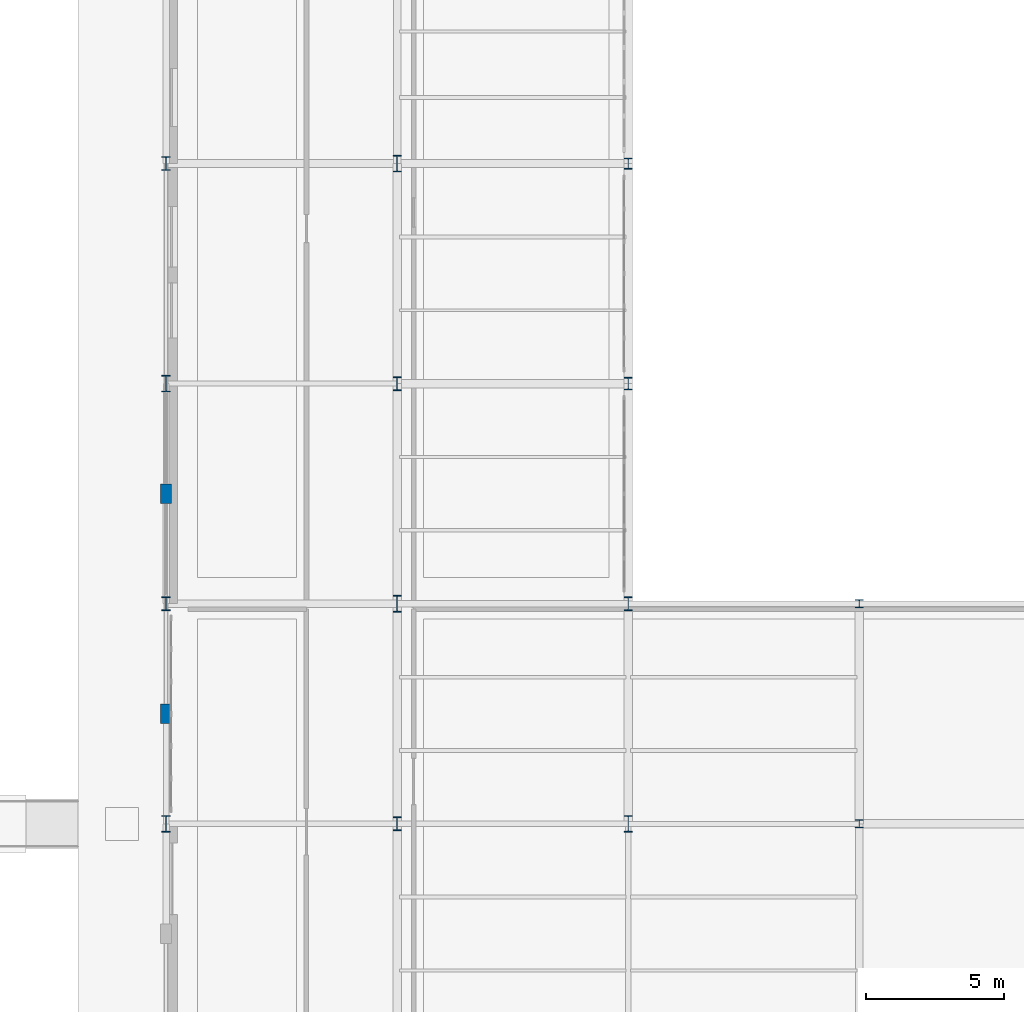
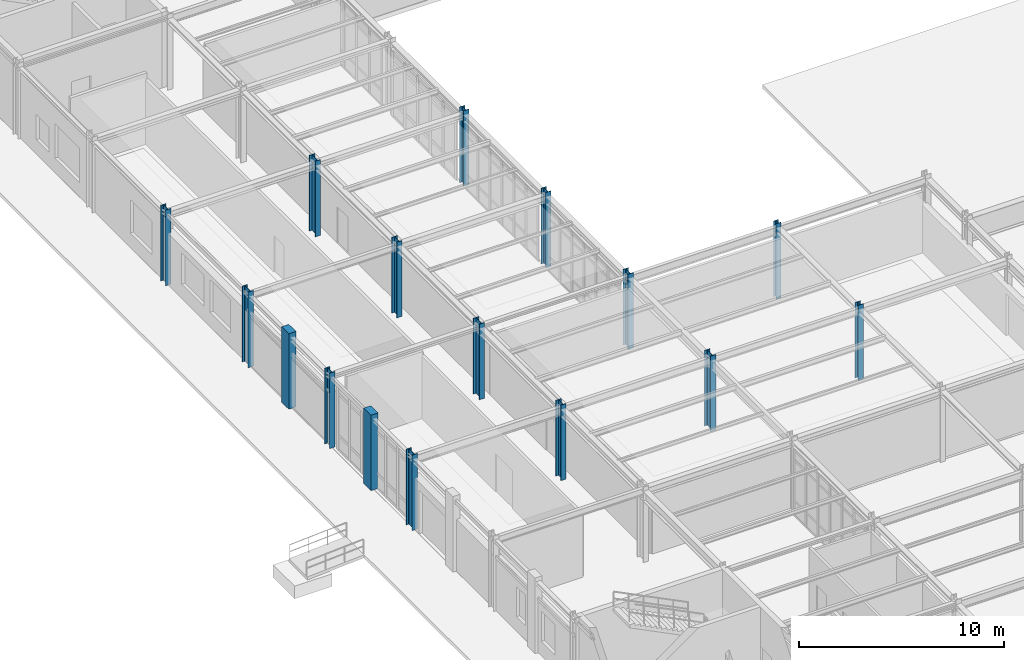
# One storey, part 11 of 101: 16 columns.
"""IFC4 building model written with IfcOpenShell, lengths in metres."""

import ifcopenshell
import ifcopenshell.guid

model = None  # the IFC model being written
_history = None  # IfcOwnerHistory: only IFC2X3 demands one
_inside = {}  # id of a spatial element -> (the spatial element, [elements in it])
_under = {}  # id of a project, library or spatial element -> (it, [spatial elements below it])
_declared = {}  # id of a project -> (the project, [libraries it declares])
_typed = {}  # id of a type object -> (the type object, [elements of that type])
_made_of = {}  # id of a material, layer set ... -> (it, [elements and type objects made of it])


def new_model(schema):
    """Start an empty IFC model of exactly this schema.

    Asked for "IFC4X3", IfcOpenShell would pick the latest addendum, in which some entities
    have other attributes; the version numbers below select the first issue.
    IFC2X3 requires an IfcOwnerHistory on every rooted entity: one is made here for all.
    """
    global model, _history
    if schema == "IFC4X3":
        model = ifcopenshell.file(schema_version=(4, 3, 0, 0))
    else:
        model = ifcopenshell.file(schema=schema)
    _inside.clear()
    _under.clear()
    _declared.clear()
    _typed.clear()
    _made_of.clear()
    _history = None
    if model.schema == "IFC2X3":
        org = make("IfcOrganization", Name="unknown")
        user = make(
            "IfcPersonAndOrganization",
            ThePerson=make("IfcPerson", FamilyName="unknown"),
            TheOrganization=org,
        )
        app = make(
            "IfcApplication",
            ApplicationDeveloper=org,
            Version="unknown",
            ApplicationFullName="unknown",
            ApplicationIdentifier="unknown",
        )
        _history = make(
            "IfcOwnerHistory",
            OwningUser=user,
            OwningApplication=app,
            ChangeAction="ADDED",
            CreationDate=0,
        )
    return model


def make(cls, **values):
    """One entity of the class cls with the attributes given. An attribute that is None is left unset."""
    return model.create_entity(
        cls, **{name: value for name, value in values.items() if value is not None}
    )


def rooted(cls, **values):
    """An entity with a GlobalId (a new one), such as an element, a storey or a relation."""
    return make(cls, GlobalId=ifcopenshell.guid.new(), OwnerHistory=_history, **values)


def si_unit(unit_type, name, prefix=None):
    """IfcSIUnit, for example si_unit("LENGTHUNIT", "METRE", prefix="MILLI")."""
    return make("IfcSIUnit", UnitType=unit_type, Prefix=prefix, Name=name)


def derived_unit(unit_type, elements):
    """IfcDerivedUnit: a product of units, each with its exponent."""
    return make(
        "IfcDerivedUnit",
        Elements=[
            make("IfcDerivedUnitElement", Unit=unit, Exponent=power)
            for unit, power in elements
        ],
        UnitType=unit_type,
    )


def assignment(units):
    """IfcUnitAssignment: the units of a project."""
    return None if units is None else make("IfcUnitAssignment", Units=units)


def point(xyz):
    """IfcCartesianPoint."""
    return None if xyz is None else make("IfcCartesianPoint", Coordinates=xyz)


def direction(xyz):
    """IfcDirection."""
    return None if xyz is None else make("IfcDirection", DirectionRatios=xyz)


def frame(location, z_axis=None, x_axis=None):
    """IfcAxis2Placement3D, a coordinate frame: its origin and axes. An axis left out is left unset."""
    return make(
        "IfcAxis2Placement3D",
        Location=point(location),
        Axis=direction(z_axis),
        RefDirection=direction(x_axis),
    )


def frame_2d(location, x_axis=None):
    """IfcAxis2Placement2D, a coordinate frame in the plane: its origin and x axis."""
    return make(
        "IfcAxis2Placement2D", Location=point(location), RefDirection=direction(x_axis)
    )


def origin():
    """The frame at (0, 0, 0) with its axes left unset."""
    return frame((0.0, 0.0, 0.0))


def origin_2d():
    """The frame at (0, 0) in the plane with its x axis left unset."""
    return frame_2d((0.0, 0.0))


def place(relative_to, where):
    """IfcLocalPlacement: puts the frame where relative to a parent placement (None: the world)."""
    return make(
        "IfcLocalPlacement", PlacementRelTo=relative_to, RelativePlacement=where
    )


def context(
    kind, dimensions, precision=None, world=None, true_north=None, identifier=None
):
    """IfcGeometricRepresentationContext, for example the 3D "Model" context."""
    return make(
        "IfcGeometricRepresentationContext",
        ContextIdentifier=identifier,
        ContextType=kind,
        CoordinateSpaceDimension=dimensions,
        Precision=precision,
        WorldCoordinateSystem=world,
        TrueNorth=true_north,
    )


def subcontext(parent, identifier, kind, view, scale=None):
    """IfcGeometricRepresentationSubContext, for example "Body" below "Model"."""
    return make(
        "IfcGeometricRepresentationSubContext",
        ContextIdentifier=identifier,
        ContextType=kind,
        ParentContext=parent,
        TargetScale=scale,
        TargetView=view,
    )


def project(units=None, contexts=None):
    """IfcProject with its units and contexts."""
    return rooted(
        "IfcProject",
        Name="project",
        RepresentationContexts=contexts,
        UnitsInContext=assignment(units),
    )


def spatial(cls, under=None, at=None, **own):
    """A site, building, storey or space (cls), placed at a placement, below another one or the project."""
    s = rooted(cls, ObjectPlacement=at, **own)
    if under is not None:
        _under.setdefault(under.id(), (under, []))[1].append(s)
    return s


def profile(cls, at=None, kind="AREA", **sizes):
    """A parametric profile (cls). Its sizes go by their IFC names, for example OverallWidth=200.0."""
    return make(cls, ProfileType=kind, Position=at, **sizes)


def rectangle(**sizes):
    """IfcRectangleProfileDef."""
    return profile("IfcRectangleProfileDef", **sizes)


def i_section(**sizes):
    """IfcIShapeProfileDef."""
    return profile("IfcIShapeProfileDef", **sizes)


def extrude(swept, where, along, depth):
    """IfcExtrudedAreaSolid: the profile swept, set in the frame where, extruded along a direction by depth."""
    return make(
        "IfcExtrudedAreaSolid",
        SweptArea=swept,
        Position=where,
        ExtrudedDirection=direction(along),
        Depth=depth,
    )


def shape(context_of_items, identifier, shape_type, items):
    """IfcShapeRepresentation: the items that make up one representation, for example the "Body"."""
    return make(
        "IfcShapeRepresentation",
        ContextOfItems=context_of_items,
        RepresentationIdentifier=identifier,
        RepresentationType=shape_type,
        Items=items,
    )


def material(Name=None, Category=None):
    """IfcMaterial."""
    return make("IfcMaterial", Name=Name, Category=Category)


def material_profile(
    of_material, cross_section, Name=None, Category=None, Priority=None
):
    """IfcMaterialProfile: a cross section and its material."""
    return make(
        "IfcMaterialProfile",
        Name=Name,
        Material=of_material,
        Profile=cross_section,
        Priority=Priority,
        Category=Category,
    )


def profile_set(profiles, Name=None, composite=None):
    """IfcMaterialProfileSet."""
    return make(
        "IfcMaterialProfileSet",
        Name=Name,
        MaterialProfiles=profiles,
        CompositeProfile=composite,
    )


def made_of(thing, what):
    """Note that an element or type object is made of a material, layer set ...; save() writes the relation."""
    if what is not None:
        _made_of.setdefault(what.id(), (what, []))[1].append(thing)
    return thing


def type_object(cls, material=None, **own):
    """A type object (cls), such as IfcWallType, which elements share."""
    return made_of(rooted(cls, **own), material)


def element(
    cls,
    number,
    at=None,
    inside=None,
    cuts=None,
    type_object=None,
    material=None,
    context=None,
    identifier="Body",
    shape_type=None,
    held_by="IfcProductDefinitionShape",
    body=None,
    shapes=None,
    **own,
):
    """One element of the class cls, such as IfcWall. Its Tag is "e" and its number.

    at: its placement. inside: the storey or other place that contains it. cuts: it is an
    opening in that element (IfcRelVoidsElement). A single representation is given by context,
    identifier, shape_type and body (its items); several are given by shapes. held_by: the class
    of the entity that holds the representations. save() writes the other relations.
    """
    e = rooted(cls, Tag="e%d" % number, ObjectPlacement=at, **own)
    if body is not None:
        shapes = [shape(context, identifier, shape_type, body)]
    if shapes is not None:
        e.Representation = make(held_by, Representations=shapes)
    if inside is not None:
        _inside.setdefault(inside.id(), (inside, []))[1].append(e)
    if cuts is not None:
        rooted(
            "IfcRelVoidsElement", RelatingBuildingElement=cuts, RelatedOpeningElement=e
        )
    if type_object is not None:
        _typed.setdefault(type_object.id(), (type_object, []))[1].append(e)
    return made_of(e, material)


def aggregate(whole, parts):
    """IfcRelAggregates: a whole, such as a stair, and the parts it consists of."""
    return rooted("IfcRelAggregates", RelatingObject=whole, RelatedObjects=parts)


def save(model, path):
    """Write the relations noted so far, then the file.

    IfcRelAggregates (storeys below a building ...), IfcRelContainedInSpatialStructure (elements
    in a storey), IfcRelDefinesByType, IfcRelAssociatesMaterial and IfcRelDeclares: one each for
    every whole, place, type object, material and project.
    """
    for whole, parts in _under.values():
        aggregate(whole, parts)
    for where, things in _inside.values():
        rooted(
            "IfcRelContainedInSpatialStructure",
            RelatedElements=things,
            RelatingStructure=where,
        )
    for kind, things in _typed.values():
        rooted("IfcRelDefinesByType", RelatedObjects=things, RelatingType=kind)
    for what, things in _made_of.values():
        rooted("IfcRelAssociatesMaterial", RelatedObjects=things, RelatingMaterial=what)
    for by, libraries in _declared.values():
        rooted("IfcRelDeclares", RelatingContext=by, RelatedDefinitions=libraries)
    model.write(path)


model = new_model("IFC4")

# Units and contexts
model_context = context("Model", 3, precision=1e-05, world=origin(), true_north=direction((0.0, 1.0)))
body_context = subcontext(model_context, "Body", "Model", "MODEL_VIEW")
ifc_project = project(units=[si_unit("LENGTHUNIT", "METRE"), si_unit("AREAUNIT", "SQUARE_METRE"), si_unit("VOLUMEUNIT", "CUBIC_METRE"), si_unit("PLANEANGLEUNIT", "RADIAN"), si_unit("MASSUNIT", "GRAM", prefix="KILO"), derived_unit("THERMALTRANSMITTANCEUNIT", [(si_unit("POWERUNIT", "WATT"), 1), (si_unit("AREAUNIT", "SQUARE_METRE"), -1), (si_unit("THERMODYNAMICTEMPERATUREUNIT", "KELVIN"), -1)])], contexts=[model_context])

# Site, building, storey
site_placement = place(None, origin())
site = spatial("IfcSite", under=ifc_project, at=site_placement, CompositionType="ELEMENT")
building_placement = place(site_placement, origin())
building = spatial("IfcBuilding", under=site, at=building_placement, Name="Yasenodar Specialist Clinic", CompositionType="ELEMENT")
storey_placement = place(building_placement, origin())
storey = spatial("IfcBuildingStorey", under=building, at=storey_placement, Name="L00", CompositionType="ELEMENT", Elevation=0.0)

# Columns
ifc_material_1 = material(Name="Steel S355", Category="steel")
ifc_material_profile_1 = material_profile(ifc_material_1, i_section(OverallWidth=0.280029296875, OverallDepth=0.280029296875, WebThickness=0.010498046875, FlangeThickness=0.01806640625, FilletRadius=0.02392578125, at=origin_2d()), Name="HEB 280")
ifc_profile_set_1 = profile_set([ifc_material_profile_1], Name="Steel S355")
column_type_1 = type_object("IfcColumnType", Name="COL-ST-HEB280", PredefinedType="COLUMN", material=ifc_profile_set_1)
column_1_placement = place(storey_placement, frame((25.199951171875, 66.800048828125, 0.0), z_axis=(0.0, 0.0, 1.0), x_axis=(1.0, 0.0, 0.0)))
element("IfcColumn", 1, at=column_1_placement, inside=storey, type_object=column_type_1, Name="L00 Column V4-054", PredefinedType="COLUMN", context=body_context, shape_type="SweptSolid", body=[
    extrude(i_section(OverallWidth=0.280029296875, OverallDepth=0.280029296875, WebThickness=0.010498046875, FlangeThickness=0.01806640625, FilletRadius=0.02392578125, at=origin_2d()), origin(), (0.0, 0.0, 1.0), 4.5),
])
ifc_material_profile_2 = material_profile(ifc_material_1, i_section(OverallWidth=0.300048828125, OverallDepth=0.300048828125, WebThickness=0.010986328125, FlangeThickness=0.01904296875, FilletRadius=0.027099609375, at=origin_2d()), Name="HEB 300")
ifc_profile_set_2 = profile_set([ifc_material_profile_2], Name="Steel S355")
column_type_2 = type_object("IfcColumnType", Name="COL-ST-HEB300", PredefinedType="COLUMN", material=ifc_profile_set_2)
column_2_placement = place(storey_placement, frame((25.199951171875, 58.800048828125, 0.0), z_axis=(0.0, 0.0, 1.0), x_axis=(1.0, 0.0, 0.0)))
element("IfcColumn", 2, at=column_2_placement, inside=storey, type_object=column_type_2, Name="L00 Column V4-053", PredefinedType="COLUMN", context=body_context, shape_type="SweptSolid", body=[
    extrude(i_section(OverallWidth=0.300048828125, OverallDepth=0.300048828125, WebThickness=0.010986328125, FlangeThickness=0.01904296875, FilletRadius=0.027099609375, at=origin_2d()), origin(), (0.0, 0.0, 1.0), 4.5),
])
ifc_material_profile_3 = material_profile(ifc_material_1, i_section(OverallWidth=0.300048828125, OverallDepth=0.39990234375, WebThickness=0.013427734375, FlangeThickness=0.02392578125, FilletRadius=0.027099609375, at=origin_2d()), Name="HEB 400")
ifc_profile_set_3 = profile_set([ifc_material_profile_3], Name="Steel S355")
column_type_3 = type_object("IfcColumnType", Name="COL-ST-HEB400", PredefinedType="COLUMN", material=ifc_profile_set_3)
column_3_placement = place(storey_placement, frame((16.800048828125, 82.800048828125, 0.0), z_axis=(0.0, 0.0, 1.0), x_axis=(1.0, 0.0, 0.0)))
element("IfcColumn", 3, at=column_3_placement, inside=storey, type_object=column_type_3, Name="L00 Column V4-041", PredefinedType="COLUMN", context=body_context, shape_type="SweptSolid", body=[
    extrude(i_section(OverallWidth=0.300048828125, OverallDepth=0.39990234375, WebThickness=0.013427734375, FlangeThickness=0.02392578125, FilletRadius=0.027099609375, at=origin_2d()), origin(), (0.0, 0.0, 1.0), 4.5),
])
ifc_material_profile_4 = material_profile(ifc_material_1, i_section(OverallWidth=0.300048828125, OverallDepth=0.449951171875, WebThickness=0.013916015625, FlangeThickness=0.02587890625, FilletRadius=0.027099609375, at=origin_2d()), Name="HEB 450")
ifc_profile_set_4 = profile_set([ifc_material_profile_4], Name="Steel S355")
column_type_4 = type_object("IfcColumnType", Name="COL-ST-HEB450", PredefinedType="COLUMN", material=ifc_profile_set_4)
column_4_placement = place(storey_placement, frame((16.800048828125, 74.800048828125, 0.0), z_axis=(0.0, 0.0, 1.0), x_axis=(1.0, 0.0, 0.0)))
element("IfcColumn", 4, at=column_4_placement, inside=storey, type_object=column_type_4, Name="L00 Column V4-040", PredefinedType="COLUMN", context=body_context, shape_type="SweptSolid", body=[
    extrude(i_section(OverallWidth=0.300048828125, OverallDepth=0.449951171875, WebThickness=0.013916015625, FlangeThickness=0.02587890625, FilletRadius=0.027099609375, at=origin_2d()), origin(), (0.0, 0.0, 1.0), 4.5),
])
ifc_material_profile_5 = material_profile(ifc_material_1, i_section(OverallWidth=0.300048828125, OverallDepth=0.5, WebThickness=0.014404296875, FlangeThickness=0.028076171875, FilletRadius=0.027099609375, at=origin_2d()), Name="HEB 500")
ifc_profile_set_5 = profile_set([ifc_material_profile_5], Name="Steel S355")
column_type_5 = type_object("IfcColumnType", Name="COL-ST-HEB500", PredefinedType="COLUMN", material=ifc_profile_set_5)
for number, where, z_axis, x_axis, name in (
    (5, (0.0, 66.800048828125, 0.0), (0.0, 0.0, 1.0), (1.0, 0.0, 0.0), "L00 Column V4-009"),
    (6, (0.0, 82.800048828125, 0.0), (0.0, 0.0, 1.0), (1.0, 0.0, 0.0), "L00 Column V4-011"),
    (7, (8.39990234375, 58.800048828125, 0.0), (0.0, 0.0, 1.0), (1.0, 0.0, 0.0), "L00 Column V4-023"),
    (8, (8.39990234375, 74.800048828125, 0.0), (0.0, 0.0, 1.0), (1.0, 0.0, 0.0), "L00 Column V4-025"),
    (9, (16.800048828125, 66.800048828125, 0.0), (0.0, 0.0, 1.0), (1.0, 0.0, 0.0), "L00 Column V4-039"),
):
    element("IfcColumn", number, at=place(storey_placement, frame(where, z_axis=z_axis, x_axis=x_axis)), inside=storey, type_object=column_type_5, Name=name, PredefinedType="COLUMN", context=body_context, shape_type="SweptSolid", body=[
        extrude(i_section(OverallWidth=0.300048828125, OverallDepth=0.5, WebThickness=0.014404296875, FlangeThickness=0.028076171875, FilletRadius=0.027099609375, at=origin_2d()), origin(), (0.0, 0.0, 1.0), 4.5),
    ])
ifc_material_profile_6 = material_profile(ifc_material_1, i_section(OverallWidth=0.300048828125, OverallDepth=0.60009765625, WebThickness=0.015380859375, FlangeThickness=0.030029296875, FilletRadius=0.027099609375, at=origin_2d()), Name="HEB 600")
ifc_profile_set_6 = profile_set([ifc_material_profile_6], Name="Steel S355")
column_type_6 = type_object("IfcColumnType", Name="COL-ST-HEB600", PredefinedType="COLUMN", material=ifc_profile_set_6)
for number, where, z_axis, x_axis, name in (
    (10, (0.0, 58.800048828125, 0.0), (0.0, 0.0, 1.0), (1.0, 0.0, 0.0), "L00 Column V4-008"),
    (11, (0.0, 74.800048828125, 0.0), (0.0, 0.0, 1.0), (1.0, 0.0, 0.0), "L00 Column V4-010"),
    (12, (8.39990234375, 66.800048828125, 0.0), (0.0, 0.0, 1.0), (1.0, 0.0, 0.0), "L00 Column V4-024"),
    (13, (8.39990234375, 82.800048828125, 0.0), (0.0, 0.0, 1.0), (1.0, 0.0, 0.0), "L00 Column V4-026"),
    (14, (16.800048828125, 58.800048828125, 0.0), (0.0, 0.0, 1.0), (1.0, 0.0, 0.0), "L00 Column V4-038"),
):
    element("IfcColumn", number, at=place(storey_placement, frame(where, z_axis=z_axis, x_axis=x_axis)), inside=storey, type_object=column_type_6, Name=name, PredefinedType="COLUMN", context=body_context, shape_type="SweptSolid", body=[
        extrude(i_section(OverallWidth=0.300048828125, OverallDepth=0.60009765625, WebThickness=0.015380859375, FlangeThickness=0.030029296875, FilletRadius=0.027099609375, at=origin_2d()), origin(), (0.0, 0.0, 1.0), 4.5),
    ])
ifc_material_2 = material(Name="Concrete C35/45", Category="concrete")
ifc_material_profile_7 = material_profile(ifc_material_2, rectangle(XDim=0.39990234375, YDim=0.699951171875, at=origin_2d()), Name="RC 400x700")
ifc_profile_set_7 = profile_set([ifc_material_profile_7], Name="Concrete C35/45")
column_type_7 = type_object("IfcColumnType", Name="PIL-RC-400x700", PredefinedType="PILASTER", material=ifc_profile_set_7)
for number, where, z_axis, x_axis, name in (
    (15, (0.0, 62.800048828125, 0.0), (0.0, 0.0, 1.0), (1.0, 0.0, 0.0), "L00 Arcade Pilaster 03"),
    (16, (0.0, 70.800048828125, 0.0), (0.0, 0.0, 1.0), (1.0, 0.0, 0.0), "L00 Arcade Pilaster 04"),
):
    element("IfcColumn", number, at=place(storey_placement, frame(where, z_axis=z_axis, x_axis=x_axis)), inside=storey, type_object=column_type_7, Name=name, PredefinedType="PILASTER", context=body_context, shape_type="SweptSolid", body=[
        extrude(rectangle(XDim=0.39990234375, YDim=0.699951171875, at=origin_2d()), origin(), (0.0, 0.0, 1.0), 4.5),
    ])

save(model, "model.ifc")
